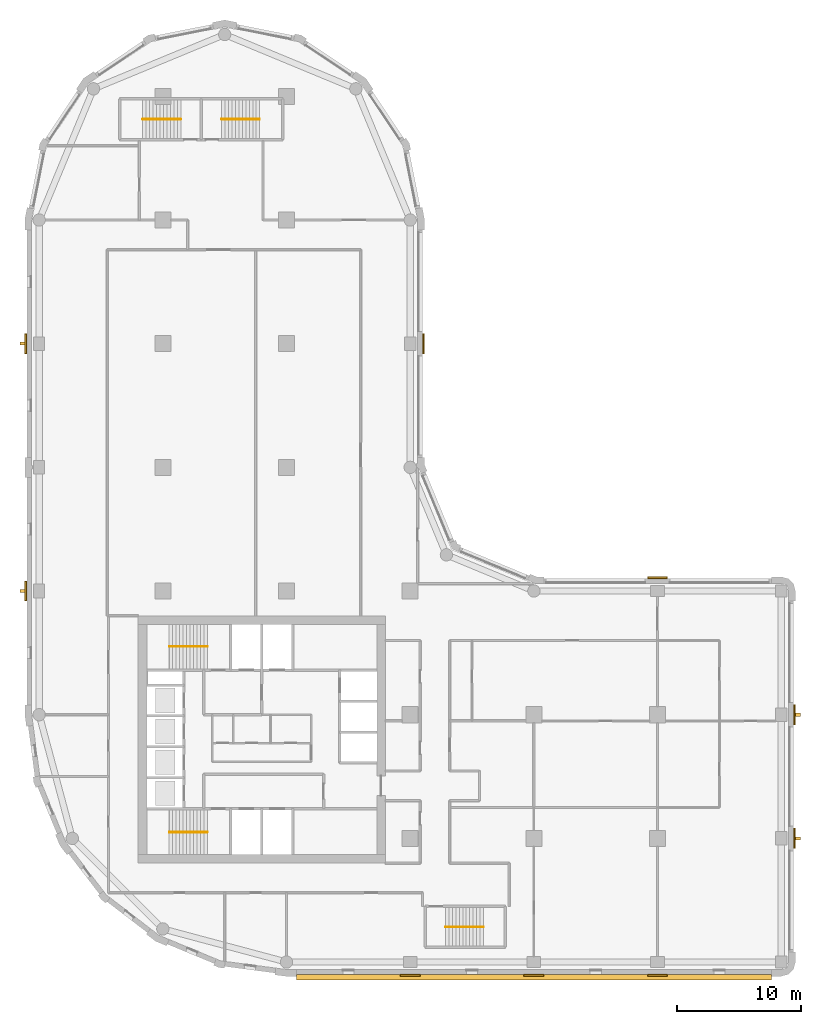
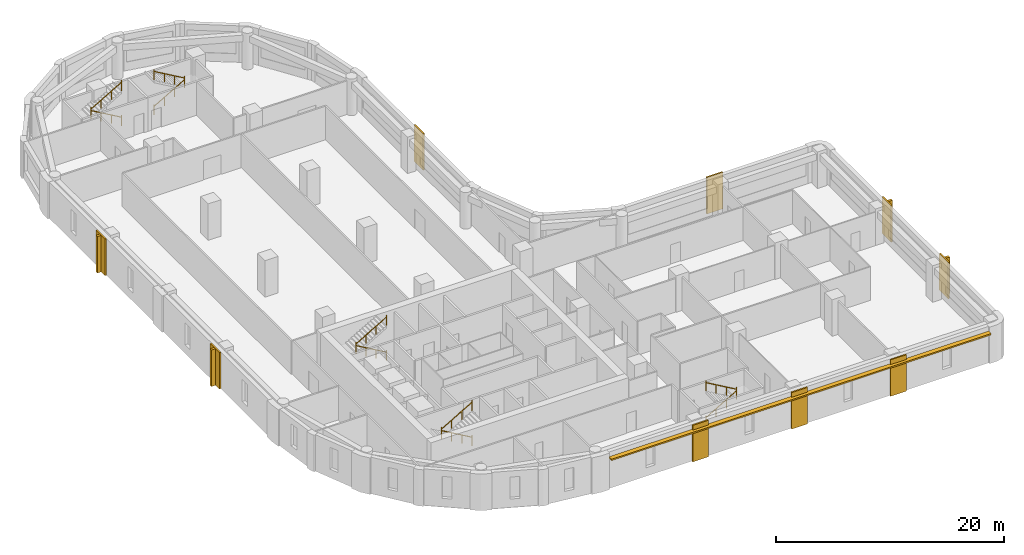
# One storey, part 8 of 9: 10 railings, 9 coverings, 5 shading devices.
"""IFC4 building model written with IfcOpenShell, lengths in metres."""

from ifc_helpers import new_model, si_unit, direction, frame, origin, origin_2d, place, context, subcontext, project, spatial, polyline, rectangle, circle, outline, extrude, material, layer, layer_set, type_object, element, save


model = new_model("IFC4")

# Units and contexts
model_context = context("Model", 3, precision=1e-05, world=origin(), true_north=direction((0.0, 1.0)))
body_context = subcontext(model_context, "Body", "Model", "MODEL_VIEW")
ifc_project = project(units=[si_unit("LENGTHUNIT", "METRE"), si_unit("AREAUNIT", "SQUARE_METRE"), si_unit("VOLUMEUNIT", "CUBIC_METRE"), si_unit("PLANEANGLEUNIT", "RADIAN"), si_unit("MASSUNIT", "GRAM", prefix="KILO")], contexts=[model_context])

# Site, building, storey
site_placement = place(None, origin())
site = spatial("IfcSite", under=ifc_project, at=site_placement, CompositionType="ELEMENT")
building_placement = place(site_placement, origin())
building = spatial("IfcBuilding", under=site, at=building_placement, Name="Qaws Garden Tower", CompositionType="ELEMENT")
storey_placement = place(building_placement, frame((0.0, 0.0, 229.199951171875)))
storey = spatial("IfcBuildingStorey", under=building, at=storey_placement, Name="L56", CompositionType="ELEMENT", Elevation=229.199951171875)

# Coverings
ifc_material_1 = material(Name="Clay facing brick masonry", Category="masonry")
ifc_layer_1 = layer(ifc_material_1, 0.14990234375)
ifc_layer_set_1 = layer_set([ifc_layer_1], Name="Clay facing brick masonry")
covering_type = type_object("IfcCoveringType", Name="Brick pilaster facing 150 x 1600", PredefinedType="CLADDING", material=ifc_layer_set_1)
placement = place(storey_placement, origin())
element("IfcCovering", 1, at=placement, inside=storey, type_object=covering_type, Name="E-L56-pier-01", PredefinedType="CLADDING", context=body_context, shape_type="SweptSolid", body=[
    extrude(outline(polyline([(29.199951171875, -1.0), (30.800048828125, -1.0), (30.800048828125, -1.14990234375), (29.199951171875, -1.14990234375), (29.199951171875, -1.0)])), origin(), (0.0, 0.0, 1.0), 3.900146484375),
])
element("IfcCovering", 2, at=placement, inside=storey, type_object=covering_type, Name="E-L56-pier-02", PredefinedType="CLADDING", context=body_context, shape_type="SweptSolid", body=[
    extrude(outline(polyline([(39.199951171875, -1.0), (40.800048828125, -1.0), (40.800048828125, -1.14990234375), (39.199951171875, -1.14990234375), (39.199951171875, -1.0)])), origin(), (0.0, 0.0, 1.0), 3.900146484375),
])
element("IfcCovering", 3, at=placement, inside=storey, type_object=covering_type, Name="E-L56-pier-03", PredefinedType="CLADDING", context=body_context, shape_type="SweptSolid", body=[
    extrude(outline(polyline([(49.199951171875, -1.0), (50.800048828125, -1.0), (50.800048828125, -1.14990234375), (49.199951171875, -1.14990234375), (49.199951171875, -1.0)])), origin(), (0.0, 0.0, 1.0), 3.900146484375),
])
element("IfcCovering", 4, at=placement, inside=storey, type_object=covering_type, Name="E-L56-pier-05", PredefinedType="CLADDING", context=body_context, shape_type="SweptSolid", body=[
    extrude(outline(polyline([(61.0, 9.199951171875), (61.0, 10.800048828125), (61.14990234375, 10.800048828125), (61.14990234375, 9.199951171875), (61.0, 9.199951171875)])), origin(), (0.0, 0.0, 1.0), 3.900146484375),
])
element("IfcCovering", 5, at=placement, inside=storey, type_object=covering_type, Name="E-L56-pier-06", PredefinedType="CLADDING", context=body_context, shape_type="SweptSolid", body=[
    extrude(outline(polyline([(61.0, 19.199951171875), (61.0, 20.800048828125), (61.14990234375, 20.800048828125), (61.14990234375, 19.199951171875), (61.0, 19.199951171875)])), origin(), (0.0, 0.0, 1.0), 3.900146484375),
])
element("IfcCovering", 6, at=placement, inside=storey, type_object=covering_type, Name="E-L56-pier-08", PredefinedType="CLADDING", context=body_context, shape_type="SweptSolid", body=[
    extrude(outline(polyline([(50.800048828125, 31.0), (49.199951171875, 31.0), (49.199951171875, 31.14990234375), (50.800048828125, 31.14990234375), (50.800048828125, 31.0)])), origin(), (0.0, 0.0, 1.0), 3.900146484375),
])
element("IfcCovering", 7, at=placement, inside=storey, type_object=covering_type, Name="E-L56-pier-12", PredefinedType="CLADDING", context=body_context, shape_type="SweptSolid", body=[
    extrude(outline(polyline([(31.0, 49.199951171875), (31.0, 50.800048828125), (31.14990234375, 50.800048828125), (31.14990234375, 49.199951171875), (31.0, 49.199951171875)])), origin(), (0.0, 0.0, 1.0), 3.900146484375),
])
element("IfcCovering", 8, at=placement, inside=storey, type_object=covering_type, Name="E-L56-pier-22", PredefinedType="CLADDING", context=body_context, shape_type="SweptSolid", body=[
    extrude(outline(polyline([(-1.0, 50.800048828125), (-1.0, 49.199951171875), (-1.14990234375, 49.199951171875), (-1.14990234375, 50.800048828125), (-1.0, 50.800048828125)])), origin(), (0.0, 0.0, 1.0), 3.900146484375),
])
element("IfcCovering", 9, at=placement, inside=storey, type_object=covering_type, Name="E-L56-pier-24", PredefinedType="CLADDING", context=body_context, shape_type="SweptSolid", body=[
    extrude(outline(polyline([(-1.0, 30.800048828125), (-1.0, 29.199951171875), (-1.14990234375, 29.199951171875), (-1.14990234375, 30.800048828125), (-1.0, 30.800048828125)])), origin(), (0.0, 0.0, 1.0), 3.900146484375),
])

# Shading devices
ifc_material_2 = material(Name="Clay facing brick masonry", Category="masonry")
ifc_layer_2 = layer(ifc_material_2, 0.14990234375)
ifc_layer_set_2 = layer_set([ifc_layer_2], Name="Clay facing brick masonry")
shading_device_type_1 = type_object("IfcShadingDeviceType", Name="Brick sunshade band 450 x 150", PredefinedType="JALOUSIE", material=ifc_layer_set_2)
shading_device_placement = place(storey_placement, frame((0.0, 0.0, 3.25)))
element("IfcShadingDevice", 10, at=shading_device_placement, inside=storey, type_object=shading_device_type_1, Name="SUNSHADE 00", PredefinedType="JALOUSIE", context=body_context, shape_type="SweptSolid", body=[
    extrude(outline(polyline([(20.800048828125, -1.0), (20.800048828125, -1.449951171875), (59.199951171875, -1.449951171875), (59.199951171875, -1.0), (50.800048828125, -1.0), (50.800048828125, -1.14990234375), (49.199951171875, -1.14990234375), (49.199951171875, -1.0), (40.800048828125, -1.0), (40.800048828125, -1.14990234375), (39.199951171875, -1.14990234375), (39.199951171875, -1.0), (30.800048828125, -1.0), (30.800048828125, -1.14990234375), (29.199951171875, -1.14990234375), (29.199951171875, -1.0), (20.800048828125, -1.0)])), origin(), (0.0, 0.0, 1.0), 0.150146484375),
])
ifc_material_3 = material(Name="Clay facing brick masonry", Category="masonry")
ifc_layer_3 = layer(ifc_material_3, 0.25)
ifc_layer_set_3 = layer_set([ifc_layer_3], Name="Clay facing brick masonry")
shading_device_type_2 = type_object("IfcShadingDeviceType", Name="Brick-faced fin 250 x 400", PredefinedType="USERDEFINED", material=ifc_layer_set_3)
for number, where, z_axis, x_axis, name in (
    (11, (61.35009765625, 10.0, 0.0), (0.0, 0.0, 1.0), (0.0, 1.0, 0.0), "FIN 05"),
    (12, (61.35009765625, 20.0, 0.0), (0.0, 0.0, 1.0), (0.0, 1.0, 0.0), "FIN 06"),
    (13, (-1.35009765625, 50.0, 0.0), (0.0, 0.0, 1.0), (0.0, -1.0, 0.0), "FIN 22"),
    (14, (-1.35009765625, 30.0, 0.0), (0.0, 0.0, 1.0), (0.0, -1.0, 0.0), "FIN 24"),
):
    element("IfcShadingDevice", number, at=place(storey_placement, frame(where, z_axis=z_axis, x_axis=x_axis)), inside=storey, type_object=shading_device_type_2, Name=name, ObjectType="FIN", PredefinedType="USERDEFINED", context=body_context, shape_type="SweptSolid", body=[
        extrude(rectangle(XDim=0.25, YDim=0.39990234375, at=origin_2d()), origin(), (0.0, 0.0, 1.0), 3.89990234375),
    ])

# Railings
ifc_material_4 = material(Name="Steel S355", Category="steel")
railing_type = type_object("IfcRailingType", Name="Stair handrail 900", PredefinedType="HANDRAIL", material=ifc_material_4)
railing_1_placement = place(storey_placement, frame((13.60009765625, 10.5, 0.16259765625)))
element("IfcRailing", 15, at=railing_1_placement, inside=storey, type_object=railing_type, Name="Stair 1 handrail", PredefinedType="HANDRAIL", context=body_context, shape_type="SweptSolid", body=[
    extrude(circle(Radius=0.02392578125, at=origin_2d()), frame((0.0, 0.0, 0.8759765625), z_axis=(-0.864920483161, 0.0, 0.501908913857), x_axis=(0.0, -1.0, 0.0)), (0.0, 0.0, 1.0), 3.56103515625),
    extrude(circle(Radius=0.02099609375, at=origin_2d()), origin(), (0.0, 0.0, 1.0), 1.06201171875),
    extrude(circle(Radius=0.02099609375, at=origin_2d()), frame((-1.026611328125, 0.0, 0.595703125)), (0.0, 0.0, 1.0), 0.851806640625),
    extrude(circle(Radius=0.02099609375, at=origin_2d()), frame((-2.053466796875, 0.0, 1.191650390625)), (0.0, 0.0, 1.0), 0.851806640625),
    extrude(circle(Radius=0.02099609375, at=origin_2d()), frame((-3.080078125, 0.0, 1.787353515625)), (0.0, 0.0, 1.0), 1.06201171875),
])
railing_2_placement = place(storey_placement, frame((10.52001953125, 10.5, 2.112548828125)))
element("IfcRailing", 16, at=railing_2_placement, inside=storey, type_object=railing_type, Name="Stair 1 handrail", PredefinedType="HANDRAIL", context=body_context, shape_type="SweptSolid", body=[
    extrude(circle(Radius=0.02392578125, at=origin_2d()), frame((0.0, 0.0, 0.8759765625), z_axis=(0.864890721111, 0.0, 0.501960198159), x_axis=(0.0, 1.0, 0.0)), (0.0, 0.0, 1.0), 3.561279296875),
    extrude(circle(Radius=0.02099609375, at=origin_2d()), origin(), (0.0, 0.0, 1.0), 1.06201171875),
    extrude(circle(Radius=0.02099609375, at=origin_2d()), frame((1.026611328125, 0.0, 0.595947265625)), (0.0, 0.0, 1.0), 0.851806640625),
    extrude(circle(Radius=0.02099609375, at=origin_2d()), frame((2.053466796875, 0.0, 1.191650390625)), (0.0, 0.0, 1.0), 0.851806640625),
    extrude(circle(Radius=0.02099609375, at=origin_2d()), frame((3.080078125, 0.0, 1.78759765625)), (0.0, 0.0, 1.0), 1.06201171875),
])
railing_3_placement = place(storey_placement, frame((13.60009765625, 25.5, 0.16259765625)))
element("IfcRailing", 17, at=railing_3_placement, inside=storey, type_object=railing_type, Name="Stair 4 handrail", PredefinedType="HANDRAIL", context=body_context, shape_type="SweptSolid", body=[
    extrude(circle(Radius=0.02392578125, at=origin_2d()), frame((0.0, 0.0, 0.8759765625), z_axis=(-0.864920483161, 0.0, 0.501908913857), x_axis=(0.0, -1.0, 0.0)), (0.0, 0.0, 1.0), 3.56103515625),
    extrude(circle(Radius=0.02099609375, at=origin_2d()), origin(), (0.0, 0.0, 1.0), 1.06201171875),
    extrude(circle(Radius=0.02099609375, at=origin_2d()), frame((-1.026611328125, 0.0, 0.595703125)), (0.0, 0.0, 1.0), 0.851806640625),
    extrude(circle(Radius=0.02099609375, at=origin_2d()), frame((-2.053466796875, 0.0, 1.191650390625)), (0.0, 0.0, 1.0), 0.851806640625),
    extrude(circle(Radius=0.02099609375, at=origin_2d()), frame((-3.080078125, 0.0, 1.787353515625)), (0.0, 0.0, 1.0), 1.06201171875),
])
railing_4_placement = place(storey_placement, frame((10.52001953125, 25.5, 2.112548828125)))
element("IfcRailing", 18, at=railing_4_placement, inside=storey, type_object=railing_type, Name="Stair 4 handrail", PredefinedType="HANDRAIL", context=body_context, shape_type="SweptSolid", body=[
    extrude(circle(Radius=0.02392578125, at=origin_2d()), frame((0.0, 0.0, 0.8759765625), z_axis=(0.864890721111, 0.0, 0.501960198159), x_axis=(0.0, 1.0, 0.0)), (0.0, 0.0, 1.0), 3.561279296875),
    extrude(circle(Radius=0.02099609375, at=origin_2d()), origin(), (0.0, 0.0, 1.0), 1.06201171875),
    extrude(circle(Radius=0.02099609375, at=origin_2d()), frame((1.026611328125, 0.0, 0.595947265625)), (0.0, 0.0, 1.0), 0.851806640625),
    extrude(circle(Radius=0.02099609375, at=origin_2d()), frame((2.053466796875, 0.0, 1.191650390625)), (0.0, 0.0, 1.0), 0.851806640625),
    extrude(circle(Radius=0.02099609375, at=origin_2d()), frame((3.080078125, 0.0, 1.78759765625)), (0.0, 0.0, 1.0), 1.06201171875),
])
railing_5_placement = place(storey_placement, frame((32.85009765625, 2.85009765625, 0.16259765625)))
element("IfcRailing", 19, at=railing_5_placement, inside=storey, type_object=railing_type, Name="Stair 5 handrail", PredefinedType="HANDRAIL", context=body_context, shape_type="SweptSolid", body=[
    extrude(circle(Radius=0.02392578125, at=origin_2d()), frame((0.0, 0.0, 0.8759765625), z_axis=(0.864903211148, 0.0, 0.501938676878), x_axis=(0.0, 1.0, 0.0)), (0.0, 0.0, 1.0), 3.560791015625),
    extrude(circle(Radius=0.02099609375, at=origin_2d()), origin(), (0.0, 0.0, 1.0), 1.06201171875),
    extrude(circle(Radius=0.02099609375, at=origin_2d()), frame((1.026611328125, 0.0, 0.595703125)), (0.0, 0.0, 1.0), 0.851806640625),
    extrude(circle(Radius=0.02099609375, at=origin_2d()), frame((2.05322265625, 0.0, 1.191650390625)), (0.0, 0.0, 1.0), 0.851806640625),
    extrude(circle(Radius=0.02099609375, at=origin_2d()), frame((3.079833984375, 0.0, 1.787353515625)), (0.0, 0.0, 1.0), 1.06201171875),
])
railing_6_placement = place(storey_placement, frame((35.929931640625, 2.85009765625, 2.112548828125)))
element("IfcRailing", 20, at=railing_6_placement, inside=storey, type_object=railing_type, Name="Stair 5 handrail", PredefinedType="HANDRAIL", context=body_context, shape_type="SweptSolid", body=[
    extrude(circle(Radius=0.02392578125, at=origin_2d()), frame((0.0, 0.0, 0.8759765625), z_axis=(-0.864873446163, 0.0, 0.501989962173), x_axis=(0.0, -1.0, 0.0)), (0.0, 0.0, 1.0), 3.56103515625),
    extrude(circle(Radius=0.02099609375, at=origin_2d()), origin(), (0.0, 0.0, 1.0), 1.06201171875),
    extrude(circle(Radius=0.02099609375, at=origin_2d()), frame((-1.026611328125, 0.0, 0.595947265625)), (0.0, 0.0, 1.0), 0.851806640625),
    extrude(circle(Radius=0.02099609375, at=origin_2d()), frame((-2.05322265625, 0.0, 1.191650390625)), (0.0, 0.0, 1.0), 0.851806640625),
    extrude(circle(Radius=0.02099609375, at=origin_2d()), frame((-3.079833984375, 0.0, 1.78759765625)), (0.0, 0.0, 1.0), 1.06201171875),
])
railing_7_placement = place(storey_placement, frame((11.449951171875, 68.14990234375, 0.16259765625)))
element("IfcRailing", 21, at=railing_7_placement, inside=storey, type_object=railing_type, Name="Stair 6 handrail", PredefinedType="HANDRAIL", context=body_context, shape_type="SweptSolid", body=[
    extrude(circle(Radius=0.02392578125, at=origin_2d()), frame((0.0, 0.0, 0.8759765625), z_axis=(-0.864903211148, 0.0, 0.501938676878), x_axis=(0.0, -1.0, 0.0)), (0.0, 0.0, 1.0), 3.560791015625),
    extrude(circle(Radius=0.02099609375, at=origin_2d()), origin(), (0.0, 0.0, 1.0), 1.06201171875),
    extrude(circle(Radius=0.02099609375, at=origin_2d()), frame((-1.026611328125, 0.0, 0.595703125)), (0.0, 0.0, 1.0), 0.851806640625),
    extrude(circle(Radius=0.02099609375, at=origin_2d()), frame((-2.05322265625, 0.0, 1.191650390625)), (0.0, 0.0, 1.0), 0.851806640625),
    extrude(circle(Radius=0.02099609375, at=origin_2d()), frame((-3.079833984375, 0.0, 1.787353515625)), (0.0, 0.0, 1.0), 1.06201171875),
])
railing_8_placement = place(storey_placement, frame((8.3701171875, 68.14990234375, 2.112548828125)))
element("IfcRailing", 22, at=railing_8_placement, inside=storey, type_object=railing_type, Name="Stair 6 handrail", PredefinedType="HANDRAIL", context=body_context, shape_type="SweptSolid", body=[
    extrude(circle(Radius=0.02392578125, at=origin_2d()), frame((0.0, 0.0, 0.8759765625), z_axis=(0.864873446163, 0.0, 0.501989962173), x_axis=(0.0, 1.0, 0.0)), (0.0, 0.0, 1.0), 3.56103515625),
    extrude(circle(Radius=0.02099609375, at=origin_2d()), origin(), (0.0, 0.0, 1.0), 1.06201171875),
    extrude(circle(Radius=0.02099609375, at=origin_2d()), frame((1.026611328125, 0.0, 0.595947265625)), (0.0, 0.0, 1.0), 0.851806640625),
    extrude(circle(Radius=0.02099609375, at=origin_2d()), frame((2.05322265625, 0.0, 1.191650390625)), (0.0, 0.0, 1.0), 0.851806640625),
    extrude(circle(Radius=0.02099609375, at=origin_2d()), frame((3.079833984375, 0.0, 1.78759765625)), (0.0, 0.0, 1.0), 1.06201171875),
])
railing_9_placement = place(storey_placement, frame((14.75, 68.14990234375, 0.16259765625)))
element("IfcRailing", 23, at=railing_9_placement, inside=storey, type_object=railing_type, Name="Stair 7 handrail", PredefinedType="HANDRAIL", context=body_context, shape_type="SweptSolid", body=[
    extrude(circle(Radius=0.02392578125, at=origin_2d()), frame((0.0, 0.0, 0.8759765625), z_axis=(0.864920483161, 0.0, 0.501908913857), x_axis=(0.0, 1.0, 0.0)), (0.0, 0.0, 1.0), 3.56103515625),
    extrude(circle(Radius=0.02099609375, at=origin_2d()), origin(), (0.0, 0.0, 1.0), 1.06201171875),
    extrude(circle(Radius=0.02099609375, at=origin_2d()), frame((1.026611328125, 0.0, 0.595703125)), (0.0, 0.0, 1.0), 0.851806640625),
    extrude(circle(Radius=0.02099609375, at=origin_2d()), frame((2.053466796875, 0.0, 1.191650390625)), (0.0, 0.0, 1.0), 0.851806640625),
    extrude(circle(Radius=0.02099609375, at=origin_2d()), frame((3.080078125, 0.0, 1.787353515625)), (0.0, 0.0, 1.0), 1.06201171875),
])
railing_10_placement = place(storey_placement, frame((17.830078125, 68.14990234375, 2.112548828125)))
element("IfcRailing", 24, at=railing_10_placement, inside=storey, type_object=railing_type, Name="Stair 7 handrail", PredefinedType="HANDRAIL", context=body_context, shape_type="SweptSolid", body=[
    extrude(circle(Radius=0.02392578125, at=origin_2d()), frame((0.0, 0.0, 0.8759765625), z_axis=(-0.864890721111, 0.0, 0.501960198159), x_axis=(0.0, -1.0, 0.0)), (0.0, 0.0, 1.0), 3.561279296875),
    extrude(circle(Radius=0.02099609375, at=origin_2d()), origin(), (0.0, 0.0, 1.0), 1.06201171875),
    extrude(circle(Radius=0.02099609375, at=origin_2d()), frame((-1.026611328125, 0.0, 0.595947265625)), (0.0, 0.0, 1.0), 0.851806640625),
    extrude(circle(Radius=0.02099609375, at=origin_2d()), frame((-2.053466796875, 0.0, 1.191650390625)), (0.0, 0.0, 1.0), 0.851806640625),
    extrude(circle(Radius=0.02099609375, at=origin_2d()), frame((-3.080078125, 0.0, 1.78759765625)), (0.0, 0.0, 1.0), 1.06201171875),
])

save(model, "model.ifc")
